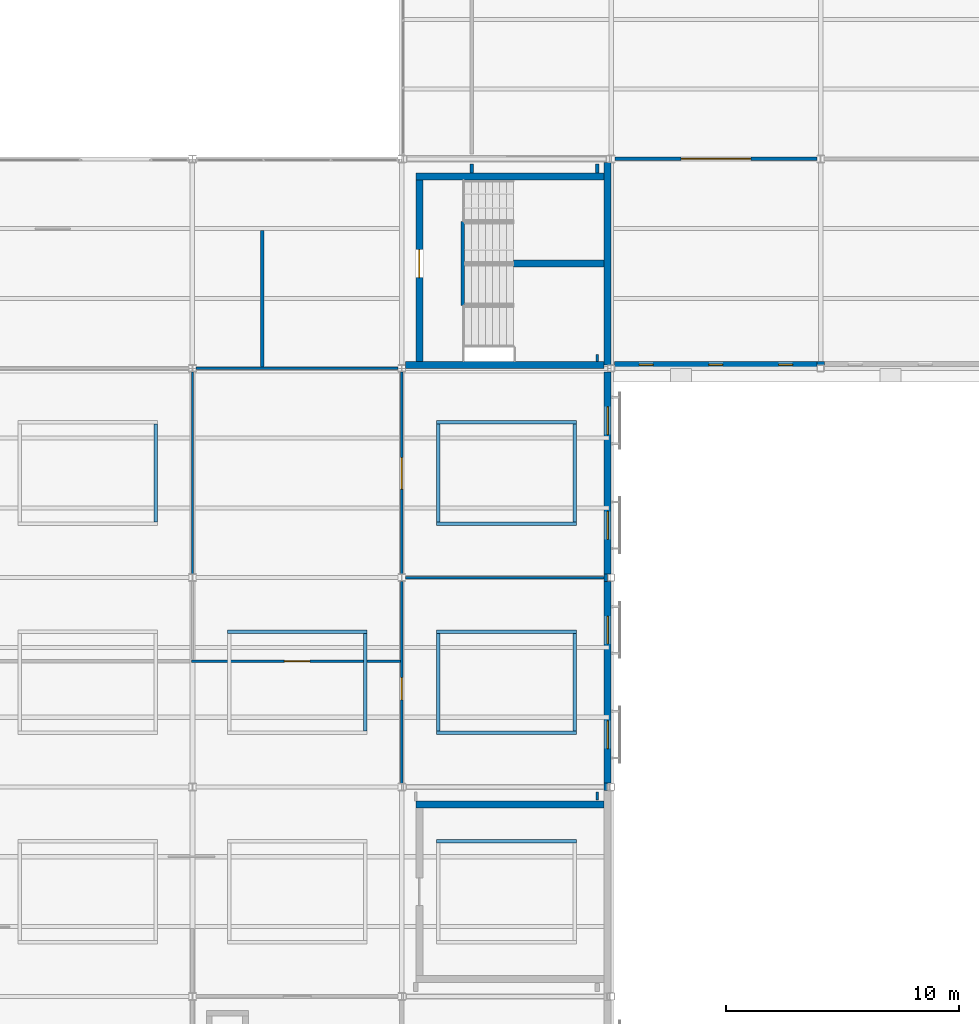
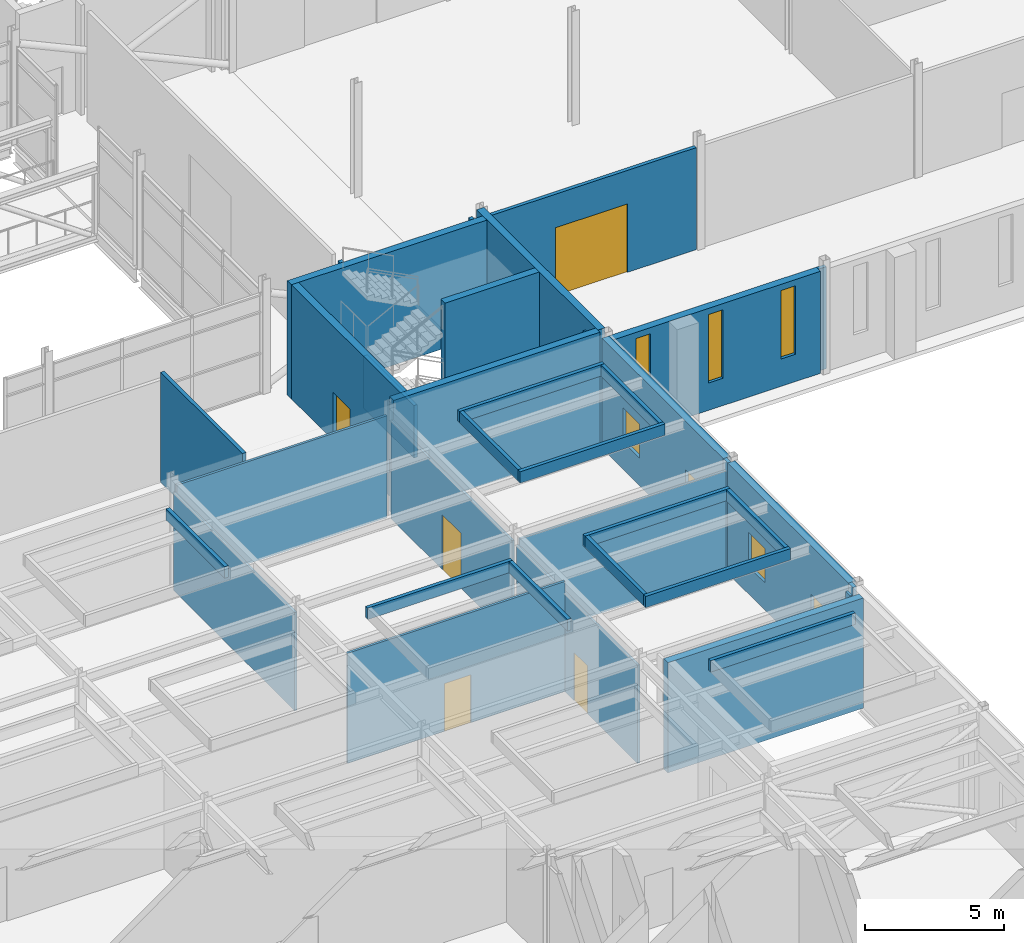
# One storey, part 82 of 115: 37 walls, 7 windows, 5 doors, 12 openings.
"""IFC4 building model written with IfcOpenShell, lengths in metres."""

from ifc_helpers import new_model, si_unit, direction, frame, frame_2d, origin, place, context, subcontext, project, spatial, rectangle, extrude, material, layer, layer_set, type_object, element, fill, save


model = new_model("IFC4")

# Units and contexts
model_context = context("Model", 3, precision=1e-05, world=origin(), true_north=direction((0.0, 1.0)))
body_context = subcontext(model_context, "Body", "Model", "MODEL_VIEW")
ifc_project = project(units=[si_unit("LENGTHUNIT", "METRE"), si_unit("AREAUNIT", "SQUARE_METRE"), si_unit("VOLUMEUNIT", "CUBIC_METRE"), si_unit("PLANEANGLEUNIT", "RADIAN"), si_unit("MASSUNIT", "GRAM", prefix="KILO")], contexts=[model_context])

# Site, building, storey
site_placement = place(None, origin())
site = spatial("IfcSite", under=ifc_project, at=site_placement, CompositionType="ELEMENT")
building_placement = place(site_placement, origin())
building = spatial("IfcBuilding", under=site, at=building_placement, Name="Shorebreak Coast Museum", CompositionType="ELEMENT")
storey_placement = place(building_placement, frame((0.0, 0.0, 11.0)))
storey = spatial("IfcBuildingStorey", under=building, at=storey_placement, Name="L02", CompositionType="ELEMENT", Elevation=11.0)

# Walls
ifc_material_1 = material(Name="Concrete N50 (50 MPa)", Category="concrete")
ifc_layer_1 = layer(ifc_material_1, 0.14990234375)
ifc_layer_set_1 = layer_set([ifc_layer_1], Name="Concrete N50 (50 MPa)")
wall_type_1 = type_object("IfcWallType", Name="Column closure panel 150", PredefinedType="SOLIDWALL", material=ifc_layer_set_1)
wall_1_placement = place(storey_placement, frame((125.839111328125, 54.22509765625, 0.0), z_axis=(0.0, 0.0, 1.0), x_axis=(1.0, 0.0, 0.0)))
element("IfcWall", 1, at=wall_1_placement, inside=storey, type_object=wall_type_1, Name="Column closure panel L02 S 15G", PredefinedType="SOLIDWALL", context=body_context, shape_type="SweptSolid", body=[
    extrude(rectangle(XDim=0.32177734375, YDim=0.14990234375, at=frame_2d((0.160888671875, 0.0))), origin(), (0.0, 0.0, 1.0), 4.469482421875),
])
wall_2_placement = place(storey_placement, frame((116.77490234375, 35.85009765625, 0.0), z_axis=(0.0, 0.0, 1.0), x_axis=(0.0, 1.0, 0.0)))
element("IfcWall", 2, at=wall_2_placement, inside=storey, type_object=wall_type_1, Name="Column closure panel L02 E 14E", PredefinedType="SOLIDWALL", context=body_context, shape_type="SweptSolid", body=[
    extrude(rectangle(XDim=0.322021484375, YDim=0.14990234375, at=frame_2d((0.1611328125, 0.0))), origin(), (0.0, 0.0, 1.0), 4.824951171875),
])
wall_3_placement = place(storey_placement, frame((116.77490234375, 44.839111328125, 0.0), z_axis=(0.0, 0.0, 1.0), x_axis=(0.0, 1.0, 0.0)))
element("IfcWall", 3, at=wall_3_placement, inside=storey, type_object=wall_type_1, Name="Column closure panel L02 E 14F", PredefinedType="SOLIDWALL", context=body_context, shape_type="SweptSolid", body=[
    extrude(rectangle(XDim=0.32177734375, YDim=0.14990234375, at=frame_2d((0.160888671875, 0.0))), origin(), (0.0, 0.0, 1.0), 4.824951171875),
])

# Wall, opening, door
ifc_material_2 = material(Name="Plasterboard on steel stud", Category="steel")
ifc_layer_2 = layer(ifc_material_2, 0.14990234375)
ifc_layer_set_2 = layer_set([ifc_layer_2], Name="Plasterboard on steel stud")
wall_type_2 = type_object("IfcWallType", Name="Fire partition 150", PredefinedType="PARTITIONING", material=ifc_layer_set_2)
wall_4_placement = place(storey_placement, frame((117.153564453125, 63.0, 0.0), z_axis=(0.0, 0.0, 1.0), x_axis=(1.0, 0.0, 0.0)))
wall_4 = element("IfcWall", 4, at=wall_4_placement, inside=storey, type_object=wall_type_2, Name="Partition L02-044", PredefinedType="PARTITIONING", context=body_context, shape_type="SweptSolid", body=[
    extrude(rectangle(XDim=8.69287109375, YDim=0.14990234375, at=frame_2d((4.346435546875, 0.0))), origin(), (0.0, 0.0, 1.0), 4.469482421875),
])
opening_1_placement = place(wall_4_placement, frame((2.85009765625, 0.0, 0.0)))
opening_1 = element("IfcOpeningElement", 5, at=opening_1_placement, cuts=wall_4, Name="Opening D2068", PredefinedType="OPENING", context=body_context, shape_type="SweptSolid", body=[
    extrude(rectangle(XDim=3.0, YDim=3.0, at=frame_2d((1.5, 1.5))), frame((0.0, 0.0849609375, 0.0), z_axis=(0.0, -1.0, 0.0), x_axis=(1.0, 0.0, 0.0)), (0.0, 0.0, 1.0), 0.169921875),
])
ifc_material_3 = material(Name="Steel", Category="steel")
door_type_1 = type_object("IfcDoorType", Name="Fire door 3000x3000 60", OperationType="DOUBLE_DOOR_SINGLE_SWING", PredefinedType="DOOR", material=ifc_material_3)
door_1_placement = place(opening_1_placement, origin())
door_1 = element("IfcDoor", 6, at=door_1_placement, inside=storey, type_object=door_type_1, Name="Door D2068 Permanent Gallery 2.02", OperationType="DOUBLE_DOOR_SINGLE_SWING", OverallHeight=3.0, OverallWidth=3.0, PredefinedType="DOOR", context=body_context, shape_type="SweptSolid", body=[
    extrude(rectangle(XDim=3.0, YDim=3.0, at=frame_2d((1.5, 1.5))), frame((0.0, 0.02490234375, 0.0), z_axis=(0.0, -1.0, 0.0), x_axis=(1.0, 0.0, 0.0)), (0.0, 0.0, 1.0), 0.050048828125),
])
fill(opening_1, door_1)

# Walls
wall_5_placement = place(storey_placement, frame((102.0, 54.050048828125, 0.0), z_axis=(0.0, 0.0, 1.0), x_axis=(0.0, 1.0, 0.0)))
element("IfcWall", 7, at=wall_5_placement, inside=storey, type_object=wall_type_2, Name="Partition L02-153", PredefinedType="PARTITIONING", context=body_context, shape_type="SweptSolid", body=[
    extrude(rectangle(XDim=5.875, YDim=0.14990234375, at=frame_2d((2.9375, 0.0))), origin(), (0.0, 0.0, 1.0), 4.824951171875),
])
for number, where, z_axis, x_axis, name in (
    (8, (111.0, 62.39990234375, 0.0), (0.0, 0.0, 1.0), (0.0, 1.0, 0.0), "Partition L02-165"),
    (9, (116.39990234375, 62.39990234375, 0.0), (0.0, 0.0, 1.0), (0.0, 1.0, 0.0), "Partition L02-175"),
):
    element("IfcWall", number, at=place(storey_placement, frame(where, z_axis=z_axis, x_axis=x_axis)), inside=storey, type_object=wall_type_2, Name=name, PredefinedType="PARTITIONING", context=body_context, shape_type="SweptSolid", body=[
        extrude(rectangle(XDim=0.380126953125, YDim=0.14990234375, at=frame_2d((0.18994140625, 0.0))), origin(), (0.0, 0.0, 1.0), 4.824951171875),
    ])

# Wall, opening, door
ifc_material_4 = material(Name="Plasterboard on steel stud", Category="steel")
ifc_layer_3 = layer(ifc_material_4, 0.10009765625)
ifc_layer_set_3 = layer_set([ifc_layer_3], Name="Plasterboard on steel stud")
wall_type_3 = type_object("IfcWallType", Name="Partition 100", PredefinedType="PARTITIONING", material=ifc_layer_set_3)
wall_6_placement = place(storey_placement, frame((98.949951171875, 41.39990234375, 0.0), z_axis=(0.0, 0.0, 1.0), x_axis=(1.0, 0.0, 0.0)))
wall_6 = element("IfcWall", 10, at=wall_6_placement, inside=storey, type_object=wall_type_3, Name="Partition L02-025", PredefinedType="PARTITIONING", context=body_context, shape_type="SweptSolid", body=[
    extrude(rectangle(XDim=9.0, YDim=0.10009765625, at=frame_2d((4.5, 0.0))), origin(), (0.0, 0.0, 1.0), 4.824951171875),
])
opening_2_placement = place(wall_6_placement, frame((4.0, 0.0, 0.0)))
opening_2 = element("IfcOpeningElement", 11, at=opening_2_placement, cuts=wall_6, Name="Opening D2044", PredefinedType="OPENING", context=body_context, shape_type="SweptSolid", body=[
    extrude(rectangle(XDim=1.10009765625, YDim=2.10009765625, at=frame_2d((0.550048828125, 1.050048828125))), frame((0.0, 0.06005859375, 0.0), z_axis=(0.0, -1.0, 0.0), x_axis=(1.0, 0.0, 0.0)), (0.0, 0.0, 1.0), 0.1201171875),
])
ifc_material_5 = material(Name="Timber", Category="wood")
door_type_2 = type_object("IfcDoorType", Name="Interior door 1100x2100", OperationType="SINGLE_SWING_LEFT", PredefinedType="DOOR", material=ifc_material_5)
door_2_placement = place(opening_2_placement, origin())
door_2 = element("IfcDoor", 12, at=door_2_placement, inside=storey, type_object=door_type_2, Name="Door D2044 Staff Room 2.01", OperationType="SINGLE_SWING_LEFT", OverallHeight=2.10009765625, OverallWidth=1.10009765625, PredefinedType="DOOR", context=body_context, shape_type="SweptSolid", body=[
    extrude(rectangle(XDim=1.10009765625, YDim=2.10009765625, at=frame_2d((0.550048828125, 1.050048828125))), frame((0.0, 0.02490234375, 0.0), z_axis=(0.0, -1.0, 0.0), x_axis=(1.0, 0.0, 0.0)), (0.0, 0.0, 1.0), 0.050048828125),
])
fill(opening_2, door_2)

# Walls
wall_7_placement = place(storey_placement, frame((108.153564453125, 45.0, 0.0), z_axis=(0.0, 0.0, 1.0), x_axis=(1.0, 0.0, 0.0)))
element("IfcWall", 13, at=wall_7_placement, inside=storey, type_object=wall_type_3, Name="Partition L02-028", PredefinedType="PARTITIONING", context=body_context, shape_type="SweptSolid", body=[
    extrude(rectangle(XDim=8.54638671875, YDim=0.10009765625, at=frame_2d((4.273193359375, 0.0))), origin(), (0.0, 0.0, 1.0), 4.418701171875),
])
wall_8_placement = place(storey_placement, frame((99.153564453125, 54.0, 0.0), z_axis=(0.0, 0.0, 1.0), x_axis=(1.0, 0.0, 0.0)))
element("IfcWall", 14, at=wall_8_placement, inside=storey, type_object=wall_type_3, Name="Partition L02-034", PredefinedType="PARTITIONING", context=body_context, shape_type="SweptSolid", body=[
    extrude(rectangle(XDim=8.69287109375, YDim=0.10009765625, at=frame_2d((4.346435546875, 0.0))), origin(), (0.0, 0.0, 1.0), 4.469482421875),
])
wall_9_placement = place(storey_placement, frame((99.0, 45.1572265625, 0.0), z_axis=(0.0, 0.0, 1.0), x_axis=(0.0, 1.0, 0.0)))
element("IfcWall", 15, at=wall_9_placement, inside=storey, type_object=wall_type_3, Name="Partition L02-149", PredefinedType="PARTITIONING", context=body_context, shape_type="SweptSolid", body=[
    extrude(rectangle(XDim=8.685546875, YDim=0.10009765625, at=frame_2d((4.3427734375, 0.0))), origin(), (0.0, 0.0, 1.0), 4.296875),
])

# Wall, opening, door
wall_10_placement = place(storey_placement, frame((108.0, 36.1572265625, 0.0), z_axis=(0.0, 0.0, 1.0), x_axis=(0.0, 1.0, 0.0)))
wall_10 = element("IfcWall", 16, at=wall_10_placement, inside=storey, type_object=wall_type_3, Name="Partition L02-158", PredefinedType="PARTITIONING", context=body_context, shape_type="SweptSolid", body=[
    extrude(rectangle(XDim=8.685546875, YDim=0.10009765625, at=frame_2d((4.3427734375, 0.0))), origin(), (0.0, 0.0, 1.0), 4.296875),
])
opening_3_placement = place(wall_10_placement, frame((3.5927734375, 0.0, 0.0)))
opening_3 = element("IfcOpeningElement", 17, at=opening_3_placement, cuts=wall_10, Name="Opening D2042", PredefinedType="OPENING", context=body_context, shape_type="SweptSolid", body=[
    extrude(rectangle(XDim=0.949951171875, YDim=2.10009765625, at=frame_2d((0.47509765625, 1.050048828125))), frame((0.0, 0.06005859375, 0.0), z_axis=(0.0, -1.0, 0.0), x_axis=(1.0, 0.0, 0.0)), (0.0, 0.0, 1.0), 0.1201171875),
])
ifc_material_6 = material(Name="Timber", Category="wood")
door_type_3 = type_object("IfcDoorType", Name="Interior door 950x2100", OperationType="SINGLE_SWING_LEFT", PredefinedType="DOOR", material=ifc_material_6)
door_3_placement = place(opening_3_placement, origin())
door_3 = element("IfcDoor", 18, at=door_3_placement, inside=storey, type_object=door_type_3, Name="Door D2042 Collections Office 2.02", OperationType="SINGLE_SWING_RIGHT", OverallHeight=2.10009765625, OverallWidth=0.949951171875, PredefinedType="DOOR", context=body_context, shape_type="SweptSolid", body=[
    extrude(rectangle(XDim=0.949951171875, YDim=2.10009765625, at=frame_2d((0.47509765625, 1.050048828125))), frame((0.0, 0.02490234375, 0.0), z_axis=(0.0, -1.0, 0.0), x_axis=(1.0, 0.0, 0.0)), (0.0, 0.0, 1.0), 0.050048828125),
])
fill(opening_3, door_3)

wall_11_placement = place(storey_placement, frame((108.0, 45.1572265625, 0.0), z_axis=(0.0, 0.0, 1.0), x_axis=(0.0, 1.0, 0.0)))
wall_11 = element("IfcWall", 19, at=wall_11_placement, inside=storey, type_object=wall_type_3, Name="Partition L02-159", PredefinedType="PARTITIONING", context=body_context, shape_type="SweptSolid", body=[
    extrude(rectangle(XDim=8.685546875, YDim=0.10009765625, at=frame_2d((4.3427734375, 0.0))), origin(), (0.0, 0.0, 1.0), 4.296875),
])
opening_4_placement = place(wall_11_placement, frame((3.64990234375, 0.0, 0.0)))
opening_4 = element("IfcOpeningElement", 20, at=opening_4_placement, cuts=wall_11, Name="Opening D2046", PredefinedType="OPENING", context=body_context, shape_type="SweptSolid", body=[
    extrude(rectangle(XDim=1.35009765625, YDim=2.39990234375, at=frame_2d((0.675048828125, 1.199951171875))), frame((0.0, 0.06005859375, 0.0), z_axis=(0.0, -1.0, 0.0), x_axis=(1.0, 0.0, 0.0)), (0.0, 0.0, 1.0), 0.1201171875),
])
ifc_material_7 = material(Name="Timber", Category="wood")
door_type_4 = type_object("IfcDoorType", Name="Interior door 1350x2400", OperationType="SINGLE_SWING_LEFT", PredefinedType="DOOR", material=ifc_material_7)
door_4_placement = place(opening_4_placement, origin())
door_4 = element("IfcDoor", 21, at=door_4_placement, inside=storey, type_object=door_type_4, Name="Door D2046 Collection Store 2.04", OperationType="SINGLE_SWING_LEFT", OverallHeight=2.39990234375, OverallWidth=1.35009765625, PredefinedType="DOOR", context=body_context, shape_type="SweptSolid", body=[
    extrude(rectangle(XDim=1.35009765625, YDim=2.39990234375, at=frame_2d((0.675048828125, 1.199951171875))), frame((0.0, 0.02490234375, 0.0), z_axis=(0.0, -1.0, 0.0), x_axis=(1.0, 0.0, 0.0)), (0.0, 0.0, 1.0), 0.050048828125),
])
fill(opening_4, door_4)

# Walls
wall_12_placement = place(storey_placement, frame((116.39990234375, 35.449951171875, 0.0), z_axis=(0.0, 0.0, 1.0), x_axis=(0.0, 1.0, 0.0)))
element("IfcWall", 22, at=wall_12_placement, inside=storey, type_object=wall_type_3, Name="Partition L02-173", PredefinedType="PARTITIONING", context=body_context, shape_type="SweptSolid", body=[
    extrude(rectangle(XDim=0.330078125, YDim=0.10009765625, at=frame_2d((0.1650390625, 0.0))), origin(), (0.0, 0.0, 1.0), 4.824951171875),
])
wall_13_placement = place(storey_placement, frame((116.39990234375, 54.300048828125, 0.0), z_axis=(0.0, 0.0, 1.0), x_axis=(0.0, 1.0, 0.0)))
element("IfcWall", 23, at=wall_13_placement, inside=storey, type_object=wall_type_3, Name="Partition L02-174", PredefinedType="PARTITIONING", context=body_context, shape_type="SweptSolid", body=[
    extrude(rectangle(XDim=0.300048828125, YDim=0.10009765625, at=frame_2d((0.14990234375, 0.0))), origin(), (0.0, 0.0, 1.0), 4.824951171875),
])
ifc_material_8 = material(Name="Concrete N50 (50 MPa)", Category="concrete")
ifc_layer_4 = layer(ifc_material_8, 0.14990234375)
ifc_layer_set_4 = layer_set([ifc_layer_4], Name="Concrete N50 (50 MPa)")
wall_type_4 = type_object("IfcWallType", Name="Planter wall 150 high 500", PredefinedType="PARAPET", material=ifc_layer_set_4)
for number, where, z_axis, x_axis, name in (
    (24, (109.5, 33.675048828125, 5.0), (0.0, 0.0, 1.0), (1.0, 0.0, 0.0), "Planter SDECK 43 north wall"),
    (25, (100.5, 42.675048828125, 5.0), (0.0, 0.0, 1.0), (1.0, 0.0, 0.0), "Planter SDECK 49 north wall"),
):
    element("IfcWall", number, at=place(storey_placement, frame(where, z_axis=z_axis, x_axis=x_axis)), inside=storey, type_object=wall_type_4, Name=name, PredefinedType="PARAPET", context=body_context, shape_type="SweptSolid", body=[
        extrude(rectangle(XDim=6.0, YDim=0.14990234375, at=frame_2d((3.0, 0.0))), origin(), (0.0, 0.0, 1.0), 0.5),
    ])
wall_14_placement = place(storey_placement, frame((106.425048828125, 38.39990234375, 5.0), z_axis=(0.0, 0.0, 1.0), x_axis=(0.0, 1.0, 0.0)))
element("IfcWall", 26, at=wall_14_placement, inside=storey, type_object=wall_type_4, Name="Planter SDECK 49 east wall", PredefinedType="PARAPET", context=body_context, shape_type="SweptSolid", body=[
    extrude(rectangle(XDim=4.2001953125, YDim=0.14990234375, at=frame_2d((2.10009765625, 0.0))), origin(), (0.0, 0.0, 1.0), 0.5),
])
for number, where, z_axis, x_axis, name in (
    (27, (109.5, 38.324951171875, 5.0), (0.0, 0.0, 1.0), (1.0, 0.0, 0.0), "Planter SDECK 50 south wall"),
    (28, (109.5, 42.675048828125, 5.0), (0.0, 0.0, 1.0), (1.0, 0.0, 0.0), "Planter SDECK 50 north wall"),
):
    element("IfcWall", number, at=place(storey_placement, frame(where, z_axis=z_axis, x_axis=x_axis)), inside=storey, type_object=wall_type_4, Name=name, PredefinedType="PARAPET", context=body_context, shape_type="SweptSolid", body=[
        extrude(rectangle(XDim=6.0, YDim=0.14990234375, at=frame_2d((3.0, 0.0))), origin(), (0.0, 0.0, 1.0), 0.5),
    ])
for number, where, z_axis, x_axis, name in (
    (29, (109.574951171875, 38.39990234375, 5.0), (0.0, 0.0, 1.0), (0.0, 1.0, 0.0), "Planter SDECK 50 west wall"),
    (30, (115.425048828125, 38.39990234375, 5.0), (0.0, 0.0, 1.0), (0.0, 1.0, 0.0), "Planter SDECK 50 east wall"),
    (31, (97.425048828125, 47.39990234375, 5.0), (0.0, 0.0, 1.0), (0.0, 1.0, 0.0), "Planter SDECK 54 east wall"),
):
    element("IfcWall", number, at=place(storey_placement, frame(where, z_axis=z_axis, x_axis=x_axis)), inside=storey, type_object=wall_type_4, Name=name, PredefinedType="PARAPET", context=body_context, shape_type="SweptSolid", body=[
        extrude(rectangle(XDim=4.2001953125, YDim=0.14990234375, at=frame_2d((2.10009765625, 0.0))), origin(), (0.0, 0.0, 1.0), 0.5),
    ])
for number, where, z_axis, x_axis, name in (
    (32, (109.5, 47.324951171875, 5.0), (0.0, 0.0, 1.0), (1.0, 0.0, 0.0), "Planter SDECK 55 south wall"),
    (33, (109.5, 51.675048828125, 5.0), (0.0, 0.0, 1.0), (1.0, 0.0, 0.0), "Planter SDECK 55 north wall"),
):
    element("IfcWall", number, at=place(storey_placement, frame(where, z_axis=z_axis, x_axis=x_axis)), inside=storey, type_object=wall_type_4, Name=name, PredefinedType="PARAPET", context=body_context, shape_type="SweptSolid", body=[
        extrude(rectangle(XDim=6.0, YDim=0.14990234375, at=frame_2d((3.0, 0.0))), origin(), (0.0, 0.0, 1.0), 0.5),
    ])
for number, where, z_axis, x_axis, name in (
    (34, (109.574951171875, 47.39990234375, 5.0), (0.0, 0.0, 1.0), (0.0, 1.0, 0.0), "Planter SDECK 55 west wall"),
    (35, (115.425048828125, 47.39990234375, 5.0), (0.0, 0.0, 1.0), (0.0, 1.0, 0.0), "Planter SDECK 55 east wall"),
):
    element("IfcWall", number, at=place(storey_placement, frame(where, z_axis=z_axis, x_axis=x_axis)), inside=storey, type_object=wall_type_4, Name=name, PredefinedType="PARAPET", context=body_context, shape_type="SweptSolid", body=[
        extrude(rectangle(XDim=4.2001953125, YDim=0.14990234375, at=frame_2d((2.10009765625, 0.0))), origin(), (0.0, 0.0, 1.0), 0.5),
    ])

# Wall, openings, windows
ifc_material_9 = material(Name="Concrete N50 (50 MPa)", Category="concrete")
ifc_layer_5 = layer(ifc_material_9, 0.300048828125)
ifc_layer_set_5 = layer_set([ifc_layer_5], Name="Concrete N50 (50 MPa)")
wall_type_5 = type_object("IfcWallType", Name="Precast board-marked panel 300", PredefinedType="SOLIDWALL", material=ifc_layer_set_5)
wall_15_placement = place(storey_placement, frame((117.14990234375, 54.14990234375, 0.0), z_axis=(0.0, 0.0, 1.0), x_axis=(1.0, 0.0, 0.0)))
wall_15 = element("IfcWall", 36, at=wall_15_placement, inside=storey, type_object=wall_type_5, Name="External wall L02 S 14G", PredefinedType="SOLIDWALL", context=body_context, shape_type="SweptSolid", body=[
    extrude(rectangle(XDim=8.689208984375, YDim=0.300048828125, at=frame_2d((4.3447265625, 0.0))), origin(), (0.0, 0.0, 1.0), 4.469482421875),
])
opening_5_placement = place(wall_15_placement, frame((1.050048828125, 0.0, 1.199951171875)))
opening_5 = element("IfcOpeningElement", 37, at=opening_5_placement, cuts=wall_15, Name="Opening WN2049", PredefinedType="OPENING", context=body_context, shape_type="SweptSolid", body=[
    extrude(rectangle(XDim=0.60009765625, YDim=3.0, at=frame_2d((0.300048828125, 1.5))), frame((0.0, 0.159912109375, 0.0), z_axis=(0.0, -1.0, 0.0), x_axis=(1.0, 0.0, 0.0)), (0.0, 0.0, 1.0), 0.320068359375),
])
opening_6_placement = place(wall_15_placement, frame((4.050048828125, 0.0, 1.199951171875)))
opening_6 = element("IfcOpeningElement", 38, at=opening_6_placement, cuts=wall_15, Name="Opening WN2050", PredefinedType="OPENING", context=body_context, shape_type="SweptSolid", body=[
    extrude(rectangle(XDim=0.60009765625, YDim=3.0, at=frame_2d((0.300048828125, 1.5))), frame((0.0, 0.159912109375, 0.0), z_axis=(0.0, -1.0, 0.0), x_axis=(1.0, 0.0, 0.0)), (0.0, 0.0, 1.0), 0.320068359375),
])
opening_7_placement = place(wall_15_placement, frame((7.050048828125, 0.0, 1.199951171875)))
opening_7 = element("IfcOpeningElement", 39, at=opening_7_placement, cuts=wall_15, Name="Opening WN2051", PredefinedType="OPENING", context=body_context, shape_type="SweptSolid", body=[
    extrude(rectangle(XDim=0.60009765625, YDim=3.0, at=frame_2d((0.300048828125, 1.5))), frame((0.0, 0.159912109375, 0.0), z_axis=(0.0, -1.0, 0.0), x_axis=(1.0, 0.0, 0.0)), (0.0, 0.0, 1.0), 0.320068359375),
])
ifc_material_10 = material(Name="Aluminium", Category="aluminium")
window_type_1 = type_object("IfcWindowType", Name="Hall slot window 600 x 3000", PartitioningType="SINGLE_PANEL", PredefinedType="WINDOW", material=ifc_material_10)
window_1_placement = place(opening_5_placement, origin())
window_1 = element("IfcWindow", 40, at=window_1_placement, inside=storey, type_object=window_type_1, Name="Window WN2049", OverallHeight=3.0, OverallWidth=0.60009765625, PartitioningType="SINGLE_PANEL", PredefinedType="WINDOW", context=body_context, shape_type="SweptSolid", body=[
    extrude(rectangle(XDim=0.60009765625, YDim=3.0, at=frame_2d((0.300048828125, 1.5))), frame((0.0, 0.030029296875, 0.0), z_axis=(0.0, -1.0, 0.0), x_axis=(1.0, 0.0, 0.0)), (0.0, 0.0, 1.0), 0.06005859375),
])
fill(opening_5, window_1)
window_2_placement = place(opening_6_placement, origin())
window_2 = element("IfcWindow", 41, at=window_2_placement, inside=storey, type_object=window_type_1, Name="Window WN2050", OverallHeight=3.0, OverallWidth=0.60009765625, PartitioningType="SINGLE_PANEL", PredefinedType="WINDOW", context=body_context, shape_type="SweptSolid", body=[
    extrude(rectangle(XDim=0.60009765625, YDim=3.0, at=frame_2d((0.300048828125, 1.5))), frame((0.0, 0.030029296875, 0.0), z_axis=(0.0, -1.0, 0.0), x_axis=(1.0, 0.0, 0.0)), (0.0, 0.0, 1.0), 0.06005859375),
])
fill(opening_6, window_2)
window_3_placement = place(opening_7_placement, origin())
window_3 = element("IfcWindow", 42, at=window_3_placement, inside=storey, type_object=window_type_1, Name="Window WN2051", OverallHeight=3.0, OverallWidth=0.60009765625, PartitioningType="SINGLE_PANEL", PredefinedType="WINDOW", context=body_context, shape_type="SweptSolid", body=[
    extrude(rectangle(XDim=0.60009765625, YDim=3.0, at=frame_2d((0.300048828125, 1.5))), frame((0.0, 0.030029296875, 0.0), z_axis=(0.0, -1.0, 0.0), x_axis=(1.0, 0.0, 0.0)), (0.0, 0.0, 1.0), 0.06005859375),
])
fill(opening_7, window_3)

# Walls
ifc_material_11 = material(Name="Concrete N50 (50 MPa)", Category="concrete")
ifc_layer_6 = layer(ifc_material_11, 0.300048828125)
ifc_layer_set_6 = layer_set([ifc_layer_6], Name="Concrete N50 (50 MPa)")
wall_type_6 = type_object("IfcWallType", Name="RC wall 300", PredefinedType="SHEAR", material=ifc_layer_set_6)
wall_16_placement = place(storey_placement, frame((108.153564453125, 54.14990234375, 0.0), z_axis=(0.0, 0.0, 1.0), x_axis=(1.0, 0.0, 0.0)))
element("IfcWall", 43, at=wall_16_placement, inside=storey, type_object=wall_type_6, Name="Stair core wall ST02 L02 S", PredefinedType="SHEAR", context=body_context, shape_type="SweptSolid", body=[
    extrude(rectangle(XDim=8.54638671875, YDim=0.300048828125, at=frame_2d((4.273193359375, 0.0))), origin(), (0.0, 0.0, 1.0), 5.0),
])
wall_17_placement = place(storey_placement, frame((108.60009765625, 62.25, 0.0), z_axis=(0.0, 0.0, 1.0), x_axis=(1.0, 0.0, 0.0)))
element("IfcWall", 44, at=wall_17_placement, inside=storey, type_object=wall_type_6, Name="Stair core wall ST02 L02 N", PredefinedType="SHEAR", context=body_context, shape_type="SweptSolid", body=[
    extrude(rectangle(XDim=8.099853515625, YDim=0.300048828125, at=frame_2d((4.0498046875, 0.0))), origin(), (0.0, 0.0, 1.0), 5.0),
])

# Wall, opening, door
wall_18_placement = place(storey_placement, frame((108.75, 54.300048828125, 0.0), z_axis=(0.0, 0.0, 1.0), x_axis=(0.0, 1.0, 0.0)))
wall_18 = element("IfcWall", 45, at=wall_18_placement, inside=storey, type_object=wall_type_6, Name="Stair core wall ST02 L02 W", PredefinedType="SHEAR", context=body_context, shape_type="SweptSolid", body=[
    extrude(rectangle(XDim=7.800048828125, YDim=0.300048828125, at=frame_2d((3.89990234375, 0.0))), origin(), (0.0, 0.0, 1.0), 5.0),
])
opening_8_placement = place(wall_18_placement, frame((3.60009765625, 0.0, 0.0)))
opening_8 = element("IfcOpeningElement", 46, at=opening_8_placement, cuts=wall_18, Name="Opening D2802", PredefinedType="OPENING", context=body_context, shape_type="SweptSolid", body=[
    extrude(rectangle(XDim=1.199951171875, YDim=2.10009765625, at=frame_2d((0.60009765625, 1.050048828125))), frame((0.0, 0.159912109375, 0.0), z_axis=(0.0, -1.0, 0.0), x_axis=(1.0, 0.0, 0.0)), (0.0, 0.0, 1.0), 0.320068359375),
])
ifc_material_12 = material(Name="Steel Grade 300", Category="steel")
door_type_5 = type_object("IfcDoorType", Name="Fire door 1200x2100", OperationType="SINGLE_SWING_LEFT", PredefinedType="DOOR", material=ifc_material_12)
door_5_placement = place(opening_8_placement, origin())
door_5 = element("IfcDoor", 47, at=door_5_placement, inside=storey, type_object=door_type_5, Name="Stair door ST02 L02", OperationType="SINGLE_SWING_RIGHT", OverallHeight=2.10009765625, OverallWidth=1.199951171875, PredefinedType="DOOR", context=body_context, shape_type="SweptSolid", body=[
    extrude(rectangle(XDim=1.199951171875, YDim=2.10009765625, at=frame_2d((0.60009765625, 1.050048828125))), frame((0.0, 0.02490234375, 0.0), z_axis=(0.0, -1.0, 0.0), x_axis=(1.0, 0.0, 0.0)), (0.0, 0.0, 1.0), 0.050048828125),
])
fill(opening_8, door_5)

# Walls
wall_19_placement = place(storey_placement, frame((116.85009765625, 54.14990234375, 0.0), z_axis=(0.0, 0.0, 1.0), x_axis=(0.0, 1.0, 0.0)))
element("IfcWall", 48, at=wall_19_placement, inside=storey, type_object=wall_type_6, Name="Stair core wall ST02 L02 E", PredefinedType="SHEAR", context=body_context, shape_type="SweptSolid", body=[
    extrude(rectangle(XDim=8.69287109375, YDim=0.300048828125, at=frame_2d((4.346435546875, 0.0))), origin(), (0.0, 0.0, 1.0), 5.0),
])
wall_20_placement = place(storey_placement, frame((108.60009765625, 35.25, 0.0), z_axis=(0.0, 0.0, 1.0), x_axis=(1.0, 0.0, 0.0)))
element("IfcWall", 49, at=wall_20_placement, inside=storey, type_object=wall_type_6, Name="Stair core wall ST14 L02 N", PredefinedType="SHEAR", context=body_context, shape_type="SweptSolid", body=[
    extrude(rectangle(XDim=8.099853515625, YDim=0.300048828125, at=frame_2d((4.0498046875, 0.0))), origin(), (0.0, 0.0, 1.0), 4.824951171875),
])
wall_21_placement = place(storey_placement, frame((112.800048828125, 58.5, 0.0), z_axis=(0.0, 0.0, 1.0), x_axis=(1.0, 0.0, 0.0)))
element("IfcWall", 50, at=wall_21_placement, inside=storey, type_object=wall_type_6, Name="Stair spine wall ST02 L02", PredefinedType="SHEAR", context=body_context, shape_type="SweptSolid", body=[
    extrude(rectangle(XDim=3.89990234375, YDim=0.300048828125, at=frame_2d((1.949951171875, 0.0))), origin(), (0.0, 0.0, 1.0), 5.0),
])

# Wall, openings, windows
ifc_material_13 = material(Name="Concrete N50 (50 MPa)", Category="concrete")
ifc_layer_7 = layer(ifc_material_13, 0.300048828125)
ifc_layer_set_7 = layer_set([ifc_layer_7], Name="Concrete N50 (50 MPa)")
wall_type_7 = type_object("IfcWallType", Name="Sand-coloured precast panel 300", PredefinedType="SOLIDWALL", material=ifc_layer_set_7)
wall_22_placement = place(storey_placement, frame((116.85009765625, 36.172119140625, 0.0), z_axis=(0.0, 0.0, 1.0), x_axis=(0.0, 1.0, 0.0)))
wall_22 = element("IfcWall", 51, at=wall_22_placement, inside=storey, type_object=wall_type_7, Name="External wall L02 E 14E", PredefinedType="SOLIDWALL", context=body_context, shape_type="SweptSolid", body=[
    extrude(rectangle(XDim=8.6669921875, YDim=0.300048828125, at=frame_2d((4.33349609375, 0.0))), origin(), (0.0, 0.0, 1.0), 4.824951171875),
])
opening_9_placement = place(wall_22_placement, frame((1.47802734375, 0.0, 1.199951171875)))
opening_9 = element("IfcOpeningElement", 52, at=opening_9_placement, cuts=wall_22, Name="Opening WN2004", PredefinedType="OPENING", context=body_context, shape_type="SweptSolid", body=[
    extrude(rectangle(XDim=1.199951171875, YDim=1.5, at=frame_2d((0.60009765625, 0.75))), frame((0.0, 0.159912109375, 0.0), z_axis=(0.0, -1.0, 0.0), x_axis=(1.0, 0.0, 0.0)), (0.0, 0.0, 1.0), 0.320068359375),
])
opening_10_placement = place(wall_22_placement, frame((5.97802734375, 0.0, 1.199951171875)))
opening_10 = element("IfcOpeningElement", 53, at=opening_10_placement, cuts=wall_22, Name="Opening WN2005", PredefinedType="OPENING", context=body_context, shape_type="SweptSolid", body=[
    extrude(rectangle(XDim=1.199951171875, YDim=1.5, at=frame_2d((0.60009765625, 0.75))), frame((0.0, 0.159912109375, 0.0), z_axis=(0.0, -1.0, 0.0), x_axis=(1.0, 0.0, 0.0)), (0.0, 0.0, 1.0), 0.320068359375),
])
ifc_material_14 = material(Name="Aluminium", Category="aluminium")
window_type_2 = type_object("IfcWindowType", Name="Punched window 1200 x 1500", PartitioningType="SINGLE_PANEL", PredefinedType="WINDOW", material=ifc_material_14)
window_4_placement = place(opening_9_placement, origin())
window_4 = element("IfcWindow", 54, at=window_4_placement, inside=storey, type_object=window_type_2, Name="Window WN2004", OverallHeight=1.5, OverallWidth=1.199951171875, PartitioningType="SINGLE_PANEL", PredefinedType="WINDOW", context=body_context, shape_type="SweptSolid", body=[
    extrude(rectangle(XDim=1.199951171875, YDim=1.5, at=frame_2d((0.60009765625, 0.75))), frame((0.0, 0.030029296875, 0.0), z_axis=(0.0, -1.0, 0.0), x_axis=(1.0, 0.0, 0.0)), (0.0, 0.0, 1.0), 0.06005859375),
])
fill(opening_9, window_4)
window_5_placement = place(opening_10_placement, origin())
window_5 = element("IfcWindow", 55, at=window_5_placement, inside=storey, type_object=window_type_2, Name="Window WN2005", OverallHeight=1.5, OverallWidth=1.199951171875, PartitioningType="SINGLE_PANEL", PredefinedType="WINDOW", context=body_context, shape_type="SweptSolid", body=[
    extrude(rectangle(XDim=1.199951171875, YDim=1.5, at=frame_2d((0.60009765625, 0.75))), frame((0.0, 0.030029296875, 0.0), z_axis=(0.0, -1.0, 0.0), x_axis=(1.0, 0.0, 0.0)), (0.0, 0.0, 1.0), 0.06005859375),
])
fill(opening_10, window_5)

wall_23_placement = place(storey_placement, frame((116.85009765625, 45.160888671875, 0.0), z_axis=(0.0, 0.0, 1.0), x_axis=(0.0, 1.0, 0.0)))
wall_23 = element("IfcWall", 56, at=wall_23_placement, inside=storey, type_object=wall_type_7, Name="External wall L02 E 14F", PredefinedType="SOLIDWALL", context=body_context, shape_type="SweptSolid", body=[
    extrude(rectangle(XDim=8.689208984375, YDim=0.300048828125, at=frame_2d((4.3447265625, 0.0))), origin(), (0.0, 0.0, 1.0), 4.824951171875),
])
opening_11_placement = place(wall_23_placement, frame((1.489013671875, 0.0, 1.199951171875)))
opening_11 = element("IfcOpeningElement", 57, at=opening_11_placement, cuts=wall_23, Name="Opening WN2006", PredefinedType="OPENING", context=body_context, shape_type="SweptSolid", body=[
    extrude(rectangle(XDim=1.199951171875, YDim=1.5, at=frame_2d((0.60009765625, 0.75))), frame((0.0, 0.159912109375, 0.0), z_axis=(0.0, -1.0, 0.0), x_axis=(1.0, 0.0, 0.0)), (0.0, 0.0, 1.0), 0.320068359375),
])
opening_12_placement = place(wall_23_placement, frame((5.989013671875, 0.0, 1.199951171875)))
opening_12 = element("IfcOpeningElement", 58, at=opening_12_placement, cuts=wall_23, Name="Opening WN2007", PredefinedType="OPENING", context=body_context, shape_type="SweptSolid", body=[
    extrude(rectangle(XDim=1.199951171875, YDim=1.5, at=frame_2d((0.60009765625, 0.75))), frame((0.0, 0.159912109375, 0.0), z_axis=(0.0, -1.0, 0.0), x_axis=(1.0, 0.0, 0.0)), (0.0, 0.0, 1.0), 0.320068359375),
])
window_6_placement = place(opening_11_placement, origin())
window_6 = element("IfcWindow", 59, at=window_6_placement, inside=storey, type_object=window_type_2, Name="Window WN2006", OverallHeight=1.5, OverallWidth=1.199951171875, PartitioningType="SINGLE_PANEL", PredefinedType="WINDOW", context=body_context, shape_type="SweptSolid", body=[
    extrude(rectangle(XDim=1.199951171875, YDim=1.5, at=frame_2d((0.60009765625, 0.75))), frame((0.0, 0.030029296875, 0.0), z_axis=(0.0, -1.0, 0.0), x_axis=(1.0, 0.0, 0.0)), (0.0, 0.0, 1.0), 0.06005859375),
])
fill(opening_11, window_6)
window_7_placement = place(opening_12_placement, origin())
window_7 = element("IfcWindow", 60, at=window_7_placement, inside=storey, type_object=window_type_2, Name="Window WN2007", OverallHeight=1.5, OverallWidth=1.199951171875, PartitioningType="SINGLE_PANEL", PredefinedType="WINDOW", context=body_context, shape_type="SweptSolid", body=[
    extrude(rectangle(XDim=1.199951171875, YDim=1.5, at=frame_2d((0.60009765625, 0.75))), frame((0.0, 0.030029296875, 0.0), z_axis=(0.0, -1.0, 0.0), x_axis=(1.0, 0.0, 0.0)), (0.0, 0.0, 1.0), 0.06005859375),
])
fill(opening_12, window_7)

# Wall
ifc_material_15 = material(Name="Concrete N50 (50 MPa)", Category="concrete")
ifc_layer_8 = layer(ifc_material_15, 0.14990234375)
ifc_layer_set_8 = layer_set([ifc_layer_8], Name="Concrete N50 (50 MPa)")
wall_type_8 = type_object("IfcWallType", Name="Understair wall 150", PredefinedType="STANDARD", material=ifc_layer_set_8)
wall_24_placement = place(storey_placement, frame((110.625, 56.699951171875, 0.0), z_axis=(0.0, 0.0, 1.0), x_axis=(0.0, 1.0, 0.0)))
element("IfcWall", 61, at=wall_24_placement, inside=storey, type_object=wall_type_8, Name="Understair wall ST02 L02 floor", PredefinedType="STANDARD", context=body_context, shape_type="SweptSolid", body=[
    extrude(rectangle(XDim=3.60009765625, YDim=0.14990234375, at=frame_2d((1.800048828125, 0.0))), origin(), (0.0, 0.0, 1.0), 2.300048828125),
])

save(model, "model.ifc")
